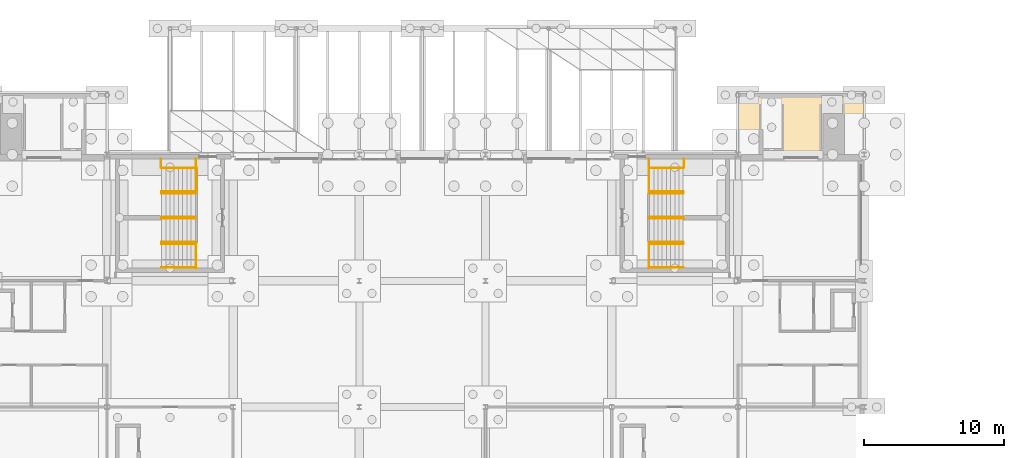
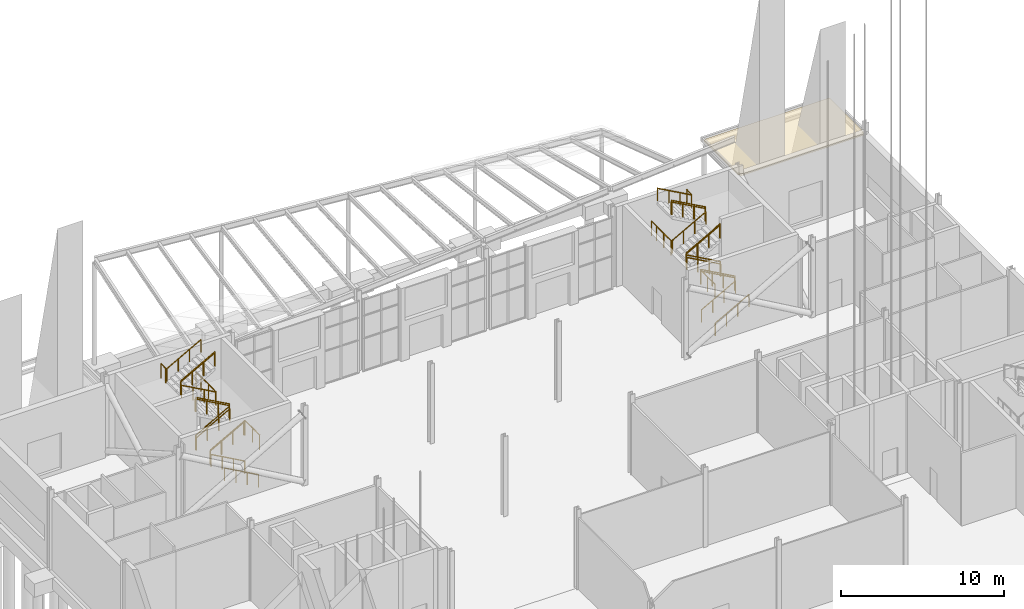
# One storey, part 137 of 139: 32 railings, 1 covering.
"""IFC4 building model written with IfcOpenShell, lengths in metres."""

from ifc_helpers import new_model, si_unit, direction, frame, origin, origin_2d, place, context, subcontext, project, spatial, polyline, circle, outline, extrude, material, layer, layer_set, type_object, element, save


model = new_model("IFC4")

# Units and contexts
model_context = context("Model", 3, precision=1e-05, world=origin(), true_north=direction((0.0, 1.0)))
body_context = subcontext(model_context, "Body", "Model", "MODEL_VIEW")
ifc_project = project(units=[si_unit("LENGTHUNIT", "METRE"), si_unit("AREAUNIT", "SQUARE_METRE"), si_unit("VOLUMEUNIT", "CUBIC_METRE"), si_unit("PLANEANGLEUNIT", "RADIAN"), si_unit("MASSUNIT", "GRAM", prefix="KILO")], contexts=[model_context])

# Site, building, storey
site_placement = place(None, origin())
site = spatial("IfcSite", under=ifc_project, at=site_placement, CompositionType="ELEMENT")
building_placement = place(site_placement, origin())
building = spatial("IfcBuilding", under=site, at=building_placement, Name="Shorebreak Coast Museum", CompositionType="ELEMENT")
storey_placement = place(building_placement, origin())
storey = spatial("IfcBuildingStorey", under=building, at=storey_placement, Name="L00", CompositionType="ELEMENT", Elevation=0.0)

# Covering
ifc_material_1 = material(Name="Growing medium")
ifc_layer = layer(ifc_material_1, 0.14990234375)
ifc_layer_set = layer_set([ifc_layer], Name="Growing medium")
covering_type = type_object("IfcCoveringType", Name="Green roof planting 150", PredefinedType="ROOFING", material=ifc_layer_set)
covering_placement = place(storey_placement, frame((0.0, 0.0, 5.0)))
element("IfcCovering", 1, at=covering_placement, inside=storey, type_object=covering_type, Name="Green roof planting arcade north 2", PredefinedType="ROOFING", context=body_context, shape_type="SweptSolid", body=[
    extrude(outline(polyline([(108.050048828125, 121.35009765625), (116.949951171875, 121.35009765625), (116.949951171875, 117.16357421875), (116.844482421875, 117.16357421875), (116.844482421875, 117.0), (108.155517578125, 117.0), (108.155517578125, 117.16357421875), (108.050048828125, 117.16357421875), (108.050048828125, 121.35009765625)])), origin(), (0.0, 0.0, 1.0), 0.14990234375),
])

# Railings
ifc_material_2 = material(Name="Steel Grade 300", Category="steel")
railing_type_1 = type_object("IfcRailingType", Name="Stair guard 1100", PredefinedType="GUARDRAIL", material=ifc_material_2)
for number, where, name in (
    (2, (69.35009765625, 108.89990234375, 3.0), "Guard ST09 L00 landing mid1"),
    (3, (69.35009765625, 114.300048828125, 3.0), "Guard ST09 L00 landing mid1"),
):
    element("IfcRailing", number, at=place(storey_placement, frame(where)), inside=storey, type_object=railing_type_1, Name=name, PredefinedType="GUARDRAIL", context=body_context, shape_type="SweptSolid", body=[
        extrude(circle(Radius=0.02490234375, at=origin_2d()), frame((0.0, 0.0, 1.0751953125), z_axis=(0.0, 1.0, 0.0), x_axis=(-1.0, 0.0, 0.0)), (0.0, 0.0, 1.0), 1.800048828125),
        extrude(circle(Radius=0.02001953125, at=origin_2d()), origin(), (0.0, 0.0, 1.0), 1.050048828125),
        extrude(circle(Radius=0.02001953125, at=origin_2d()), frame((0.0, 0.89990234375, 0.0)), (0.0, 0.0, 1.0), 1.050048828125),
        extrude(circle(Radius=0.02001953125, at=origin_2d()), frame((0.0, 1.800048828125, 0.0)), (0.0, 0.0, 1.0), 1.050048828125),
    ])
for number, where, name in (
    (4, (69.35009765625, 116.10009765625, 3.0), "Guard ST09 L00 landing strip"),
    (5, (66.85009765625, 116.10009765625, 4.5), "Guard ST09 L00 landing strip"),
):
    element("IfcRailing", number, at=place(storey_placement, frame(where)), inside=storey, type_object=railing_type_1, Name=name, PredefinedType="GUARDRAIL", context=body_context, shape_type="SweptSolid", body=[
        extrude(circle(Radius=0.02490234375, at=origin_2d()), frame((0.0, 0.0, 1.0751953125), z_axis=(0.0, 1.0, 0.0), x_axis=(-1.0, 0.0, 0.0)), (0.0, 0.0, 1.0), 0.599853515625),
        extrude(circle(Radius=0.02001953125, at=origin_2d()), origin(), (0.0, 0.0, 1.0), 1.050048828125),
        extrude(circle(Radius=0.02001953125, at=origin_2d()), frame((0.0, 0.599853515625, 0.0)), (0.0, 0.0, 1.0), 1.050048828125),
    ])
for number, where, name in (
    (6, (66.89990234375, 110.699951171875, 1.666748046875), "Guard ST09-L00 well 1"),
    (7, (66.89990234375, 114.300048828125, 4.666748046875), "Guard ST09-L00 well 2"),
    (8, (66.89990234375, 112.5, 1.666748046875), "Guard ST09-L00 side 1"),
):
    element("IfcRailing", number, at=place(storey_placement, frame(where)), inside=storey, type_object=railing_type_1, Name=name, PredefinedType="GUARDRAIL", context=body_context, shape_type="SweptSolid", body=[
        extrude(circle(Radius=0.02490234375, at=origin_2d()), frame((0.0, 0.0, 1.0751953125), z_axis=(0.874182441271, 0.0, 0.485597631145), x_axis=(0.0, 1.0, 0.0)), (0.0, 0.0, 1.0), 2.74560546875),
        extrude(circle(Radius=0.02001953125, at=origin_2d()), origin(), (0.0, 0.0, 1.0), 1.050048828125),
        extrude(circle(Radius=0.02001953125, at=origin_2d()), frame((0.800048828125, 0.0, 0.4443359375)), (0.0, 0.0, 1.0), 1.050048828125),
        extrude(circle(Radius=0.02001953125, at=origin_2d()), frame((1.60009765625, 0.0, 0.888916015625)), (0.0, 0.0, 1.0), 1.050048828125),
        extrude(circle(Radius=0.02001953125, at=origin_2d()), frame((2.400146484375, 0.0, 1.333251953125)), (0.0, 0.0, 1.0), 1.050048828125),
    ])
railing_1_placement = place(storey_placement, frame((69.300048828125, 112.5, 3.166748046875)))
element("IfcRailing", 9, at=railing_1_placement, inside=storey, type_object=railing_type_1, Name="Guard ST09-L00 side 2", PredefinedType="GUARDRAIL", context=body_context, shape_type="SweptSolid", body=[
    extrude(circle(Radius=0.02490234375, at=origin_2d()), frame((0.0, 0.0, 1.0751953125), z_axis=(-0.874182441271, 0.0, 0.485597631145), x_axis=(0.0, -1.0, 0.0)), (0.0, 0.0, 1.0), 2.74560546875),
    extrude(circle(Radius=0.02001953125, at=origin_2d()), origin(), (0.0, 0.0, 1.0), 1.050048828125),
    extrude(circle(Radius=0.02001953125, at=origin_2d()), frame((-0.800048828125, 0.0, 0.4443359375)), (0.0, 0.0, 1.0), 1.050048828125),
    extrude(circle(Radius=0.02001953125, at=origin_2d()), frame((-1.60009765625, 0.0, 0.888916015625)), (0.0, 0.0, 1.0), 1.050048828125),
    extrude(circle(Radius=0.02001953125, at=origin_2d()), frame((-2.400146484375, 0.0, 1.333251953125)), (0.0, 0.0, 1.0), 1.050048828125),
])
for number, where, name in (
    (10, (101.64990234375, 108.89990234375, 3.0), "Guard ST10 L00 landing mid1"),
    (11, (101.64990234375, 114.300048828125, 3.0), "Guard ST10 L00 landing mid1"),
):
    element("IfcRailing", number, at=place(storey_placement, frame(where)), inside=storey, type_object=railing_type_1, Name=name, PredefinedType="GUARDRAIL", context=body_context, shape_type="SweptSolid", body=[
        extrude(circle(Radius=0.02490234375, at=origin_2d()), frame((0.0, 0.0, 1.0751953125), z_axis=(0.0, 1.0, 0.0), x_axis=(-1.0, 0.0, 0.0)), (0.0, 0.0, 1.0), 1.800048828125),
        extrude(circle(Radius=0.02001953125, at=origin_2d()), origin(), (0.0, 0.0, 1.0), 1.050048828125),
        extrude(circle(Radius=0.02001953125, at=origin_2d()), frame((0.0, 0.89990234375, 0.0)), (0.0, 0.0, 1.0), 1.050048828125),
        extrude(circle(Radius=0.02001953125, at=origin_2d()), frame((0.0, 1.800048828125, 0.0)), (0.0, 0.0, 1.0), 1.050048828125),
    ])
for number, where, name in (
    (12, (101.64990234375, 116.10009765625, 3.0), "Guard ST10 L00 landing strip"),
    (13, (104.14990234375, 116.10009765625, 4.5), "Guard ST10 L00 landing strip"),
):
    element("IfcRailing", number, at=place(storey_placement, frame(where)), inside=storey, type_object=railing_type_1, Name=name, PredefinedType="GUARDRAIL", context=body_context, shape_type="SweptSolid", body=[
        extrude(circle(Radius=0.02490234375, at=origin_2d()), frame((0.0, 0.0, 1.0751953125), z_axis=(0.0, 1.0, 0.0), x_axis=(-1.0, 0.0, 0.0)), (0.0, 0.0, 1.0), 0.599853515625),
        extrude(circle(Radius=0.02001953125, at=origin_2d()), origin(), (0.0, 0.0, 1.0), 1.050048828125),
        extrude(circle(Radius=0.02001953125, at=origin_2d()), frame((0.0, 0.599853515625, 0.0)), (0.0, 0.0, 1.0), 1.050048828125),
    ])
for number, where, name in (
    (14, (104.10009765625, 110.699951171875, 1.666748046875), "Guard ST10-L00 well 1"),
    (15, (104.10009765625, 114.300048828125, 4.666748046875), "Guard ST10-L00 well 2"),
    (16, (104.10009765625, 112.5, 1.666748046875), "Guard ST10-L00 side 1"),
):
    element("IfcRailing", number, at=place(storey_placement, frame(where)), inside=storey, type_object=railing_type_1, Name=name, PredefinedType="GUARDRAIL", context=body_context, shape_type="SweptSolid", body=[
        extrude(circle(Radius=0.02490234375, at=origin_2d()), frame((0.0, 0.0, 1.0751953125), z_axis=(-0.874182441271, 0.0, 0.485597631145), x_axis=(0.0, -1.0, 0.0)), (0.0, 0.0, 1.0), 2.74560546875),
        extrude(circle(Radius=0.02001953125, at=origin_2d()), origin(), (0.0, 0.0, 1.0), 1.050048828125),
        extrude(circle(Radius=0.02001953125, at=origin_2d()), frame((-0.800048828125, 0.0, 0.4443359375)), (0.0, 0.0, 1.0), 1.050048828125),
        extrude(circle(Radius=0.02001953125, at=origin_2d()), frame((-1.60009765625, 0.0, 0.888916015625)), (0.0, 0.0, 1.0), 1.050048828125),
        extrude(circle(Radius=0.02001953125, at=origin_2d()), frame((-2.400146484375, 0.0, 1.333251953125)), (0.0, 0.0, 1.0), 1.050048828125),
    ])
railing_2_placement = place(storey_placement, frame((101.699951171875, 112.5, 3.166748046875)))
element("IfcRailing", 17, at=railing_2_placement, inside=storey, type_object=railing_type_1, Name="Guard ST10-L00 side 2", PredefinedType="GUARDRAIL", context=body_context, shape_type="SweptSolid", body=[
    extrude(circle(Radius=0.02490234375, at=origin_2d()), frame((0.0, 0.0, 1.0751953125), z_axis=(0.874182441271, 0.0, 0.485597631145), x_axis=(0.0, 1.0, 0.0)), (0.0, 0.0, 1.0), 2.74560546875),
    extrude(circle(Radius=0.02001953125, at=origin_2d()), origin(), (0.0, 0.0, 1.0), 1.050048828125),
    extrude(circle(Radius=0.02001953125, at=origin_2d()), frame((0.800048828125, 0.0, 0.4443359375)), (0.0, 0.0, 1.0), 1.050048828125),
    extrude(circle(Radius=0.02001953125, at=origin_2d()), frame((1.60009765625, 0.0, 0.888916015625)), (0.0, 0.0, 1.0), 1.050048828125),
    extrude(circle(Radius=0.02001953125, at=origin_2d()), frame((2.400146484375, 0.0, 1.333251953125)), (0.0, 0.0, 1.0), 1.050048828125),
])
ifc_material_3 = material(Name="Steel Grade 300", Category="steel")
railing_type_2 = type_object("IfcRailingType", Name="Stair handrail 950", PredefinedType="HANDRAIL", material=ifc_material_3)
for number, where, name in (
    (18, (69.300048828125, 108.9599609375, 0.166748046875), "Handrail ST09-L00 flight 1a"),
    (19, (69.300048828125, 110.639892578125, 0.166748046875), "Handrail ST09-L00 flight 1b"),
):
    element("IfcRailing", number, at=place(storey_placement, frame(where)), inside=storey, type_object=railing_type_2, Name=name, PredefinedType="HANDRAIL", context=body_context, shape_type="SweptSolid", body=[
        extrude(circle(Radius=0.02490234375, at=origin_2d()), frame((0.0, 0.0, 0.9248046875), z_axis=(-0.874182441271, 0.0, 0.485597631145), x_axis=(0.0, -1.0, 0.0)), (0.0, 0.0, 1.0), 2.74560546875),
        extrude(circle(Radius=0.02001953125, at=origin_2d()), origin(), (0.0, 0.0, 1.0), 0.89990234375),
        extrude(circle(Radius=0.02001953125, at=origin_2d()), frame((-0.800048828125, 0.0, 0.4443359375)), (0.0, 0.0, 1.0), 0.89990234375),
        extrude(circle(Radius=0.02001953125, at=origin_2d()), frame((-1.60009765625, 0.0, 0.888916015625)), (0.0, 0.0, 1.0), 0.89990234375),
        extrude(circle(Radius=0.02001953125, at=origin_2d()), frame((-2.400146484375, 0.0, 1.333251953125)), (0.0, 0.0, 1.0), 0.89990234375),
    ])
for number, where, name in (
    (20, (66.89990234375, 110.760009765625, 1.666748046875), "Handrail ST09-L00 flight 2a"),
    (21, (66.89990234375, 112.43994140625, 1.666748046875), "Handrail ST09-L00 flight 2b"),
):
    element("IfcRailing", number, at=place(storey_placement, frame(where)), inside=storey, type_object=railing_type_2, Name=name, PredefinedType="HANDRAIL", context=body_context, shape_type="SweptSolid", body=[
        extrude(circle(Radius=0.02490234375, at=origin_2d()), frame((0.0, 0.0, 0.9248046875), z_axis=(0.874182441271, 0.0, 0.485597631145), x_axis=(0.0, 1.0, 0.0)), (0.0, 0.0, 1.0), 2.74560546875),
        extrude(circle(Radius=0.02001953125, at=origin_2d()), origin(), (0.0, 0.0, 1.0), 0.89990234375),
        extrude(circle(Radius=0.02001953125, at=origin_2d()), frame((0.800048828125, 0.0, 0.4443359375)), (0.0, 0.0, 1.0), 0.89990234375),
        extrude(circle(Radius=0.02001953125, at=origin_2d()), frame((1.60009765625, 0.0, 0.888916015625)), (0.0, 0.0, 1.0), 0.89990234375),
        extrude(circle(Radius=0.02001953125, at=origin_2d()), frame((2.400146484375, 0.0, 1.333251953125)), (0.0, 0.0, 1.0), 0.89990234375),
    ])
for number, where, name in (
    (22, (69.300048828125, 112.56005859375, 3.166748046875), "Handrail ST09-L00 flight 3a"),
    (23, (69.300048828125, 114.239990234375, 3.166748046875), "Handrail ST09-L00 flight 3b"),
):
    element("IfcRailing", number, at=place(storey_placement, frame(where)), inside=storey, type_object=railing_type_2, Name=name, PredefinedType="HANDRAIL", context=body_context, shape_type="SweptSolid", body=[
        extrude(circle(Radius=0.02490234375, at=origin_2d()), frame((0.0, 0.0, 0.9248046875), z_axis=(-0.874182441271, 0.0, 0.485597631145), x_axis=(0.0, -1.0, 0.0)), (0.0, 0.0, 1.0), 2.74560546875),
        extrude(circle(Radius=0.02001953125, at=origin_2d()), origin(), (0.0, 0.0, 1.0), 0.89990234375),
        extrude(circle(Radius=0.02001953125, at=origin_2d()), frame((-0.800048828125, 0.0, 0.4443359375)), (0.0, 0.0, 1.0), 0.89990234375),
        extrude(circle(Radius=0.02001953125, at=origin_2d()), frame((-1.60009765625, 0.0, 0.888916015625)), (0.0, 0.0, 1.0), 0.89990234375),
        extrude(circle(Radius=0.02001953125, at=origin_2d()), frame((-2.400146484375, 0.0, 1.333251953125)), (0.0, 0.0, 1.0), 0.89990234375),
    ])
for number, where, name in (
    (24, (66.89990234375, 114.360107421875, 4.666748046875), "Handrail ST09-L00 flight 4a"),
    (25, (66.89990234375, 116.0400390625, 4.666748046875), "Handrail ST09-L00 flight 4b"),
    (26, (101.699951171875, 108.9599609375, 0.166748046875), "Handrail ST10-L00 flight 1a"),
    (27, (101.699951171875, 110.639892578125, 0.166748046875), "Handrail ST10-L00 flight 1b"),
):
    element("IfcRailing", number, at=place(storey_placement, frame(where)), inside=storey, type_object=railing_type_2, Name=name, PredefinedType="HANDRAIL", context=body_context, shape_type="SweptSolid", body=[
        extrude(circle(Radius=0.02490234375, at=origin_2d()), frame((0.0, 0.0, 0.9248046875), z_axis=(0.874182441271, 0.0, 0.485597631145), x_axis=(0.0, 1.0, 0.0)), (0.0, 0.0, 1.0), 2.74560546875),
        extrude(circle(Radius=0.02001953125, at=origin_2d()), origin(), (0.0, 0.0, 1.0), 0.89990234375),
        extrude(circle(Radius=0.02001953125, at=origin_2d()), frame((0.800048828125, 0.0, 0.4443359375)), (0.0, 0.0, 1.0), 0.89990234375),
        extrude(circle(Radius=0.02001953125, at=origin_2d()), frame((1.60009765625, 0.0, 0.888916015625)), (0.0, 0.0, 1.0), 0.89990234375),
        extrude(circle(Radius=0.02001953125, at=origin_2d()), frame((2.400146484375, 0.0, 1.333251953125)), (0.0, 0.0, 1.0), 0.89990234375),
    ])
for number, where, name in (
    (28, (104.10009765625, 110.760009765625, 1.666748046875), "Handrail ST10-L00 flight 2a"),
    (29, (104.10009765625, 112.43994140625, 1.666748046875), "Handrail ST10-L00 flight 2b"),
):
    element("IfcRailing", number, at=place(storey_placement, frame(where)), inside=storey, type_object=railing_type_2, Name=name, PredefinedType="HANDRAIL", context=body_context, shape_type="SweptSolid", body=[
        extrude(circle(Radius=0.02490234375, at=origin_2d()), frame((0.0, 0.0, 0.9248046875), z_axis=(-0.874182441271, 0.0, 0.485597631145), x_axis=(0.0, -1.0, 0.0)), (0.0, 0.0, 1.0), 2.74560546875),
        extrude(circle(Radius=0.02001953125, at=origin_2d()), origin(), (0.0, 0.0, 1.0), 0.89990234375),
        extrude(circle(Radius=0.02001953125, at=origin_2d()), frame((-0.800048828125, 0.0, 0.4443359375)), (0.0, 0.0, 1.0), 0.89990234375),
        extrude(circle(Radius=0.02001953125, at=origin_2d()), frame((-1.60009765625, 0.0, 0.888916015625)), (0.0, 0.0, 1.0), 0.89990234375),
        extrude(circle(Radius=0.02001953125, at=origin_2d()), frame((-2.400146484375, 0.0, 1.333251953125)), (0.0, 0.0, 1.0), 0.89990234375),
    ])
for number, where, name in (
    (30, (101.699951171875, 112.56005859375, 3.166748046875), "Handrail ST10-L00 flight 3a"),
    (31, (101.699951171875, 114.239990234375, 3.166748046875), "Handrail ST10-L00 flight 3b"),
):
    element("IfcRailing", number, at=place(storey_placement, frame(where)), inside=storey, type_object=railing_type_2, Name=name, PredefinedType="HANDRAIL", context=body_context, shape_type="SweptSolid", body=[
        extrude(circle(Radius=0.02490234375, at=origin_2d()), frame((0.0, 0.0, 0.9248046875), z_axis=(0.874182441271, 0.0, 0.485597631145), x_axis=(0.0, 1.0, 0.0)), (0.0, 0.0, 1.0), 2.74560546875),
        extrude(circle(Radius=0.02001953125, at=origin_2d()), origin(), (0.0, 0.0, 1.0), 0.89990234375),
        extrude(circle(Radius=0.02001953125, at=origin_2d()), frame((0.800048828125, 0.0, 0.4443359375)), (0.0, 0.0, 1.0), 0.89990234375),
        extrude(circle(Radius=0.02001953125, at=origin_2d()), frame((1.60009765625, 0.0, 0.888916015625)), (0.0, 0.0, 1.0), 0.89990234375),
        extrude(circle(Radius=0.02001953125, at=origin_2d()), frame((2.400146484375, 0.0, 1.333251953125)), (0.0, 0.0, 1.0), 0.89990234375),
    ])
for number, where, name in (
    (32, (104.10009765625, 114.360107421875, 4.666748046875), "Handrail ST10-L00 flight 4a"),
    (33, (104.10009765625, 116.0400390625, 4.666748046875), "Handrail ST10-L00 flight 4b"),
):
    element("IfcRailing", number, at=place(storey_placement, frame(where)), inside=storey, type_object=railing_type_2, Name=name, PredefinedType="HANDRAIL", context=body_context, shape_type="SweptSolid", body=[
        extrude(circle(Radius=0.02490234375, at=origin_2d()), frame((0.0, 0.0, 0.9248046875), z_axis=(-0.874182441271, 0.0, 0.485597631145), x_axis=(0.0, -1.0, 0.0)), (0.0, 0.0, 1.0), 2.74560546875),
        extrude(circle(Radius=0.02001953125, at=origin_2d()), origin(), (0.0, 0.0, 1.0), 0.89990234375),
        extrude(circle(Radius=0.02001953125, at=origin_2d()), frame((-0.800048828125, 0.0, 0.4443359375)), (0.0, 0.0, 1.0), 0.89990234375),
        extrude(circle(Radius=0.02001953125, at=origin_2d()), frame((-1.60009765625, 0.0, 0.888916015625)), (0.0, 0.0, 1.0), 0.89990234375),
        extrude(circle(Radius=0.02001953125, at=origin_2d()), frame((-2.400146484375, 0.0, 1.333251953125)), (0.0, 0.0, 1.0), 0.89990234375),
    ])

save(model, "model.ifc")
